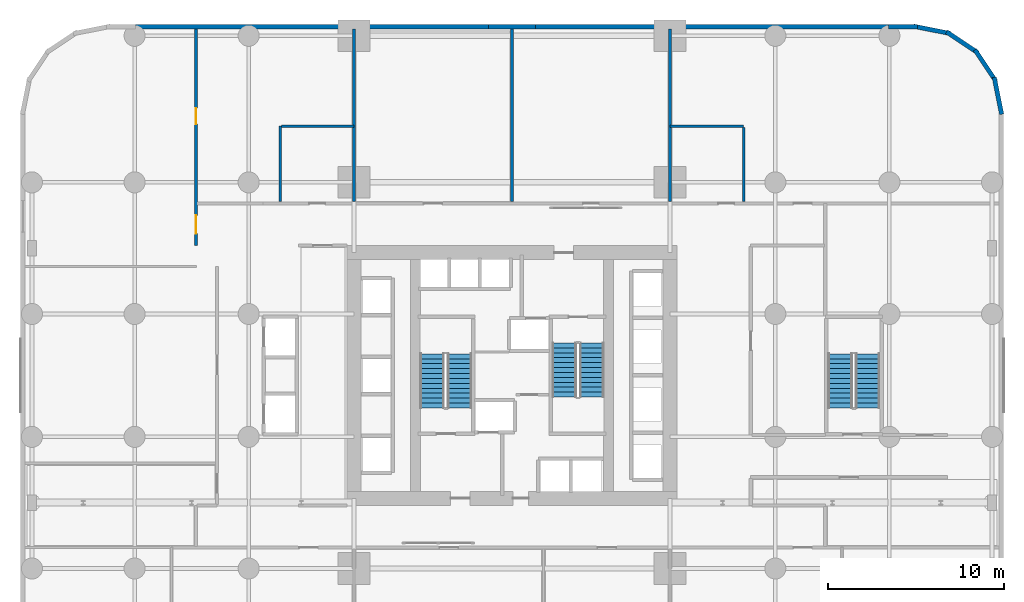
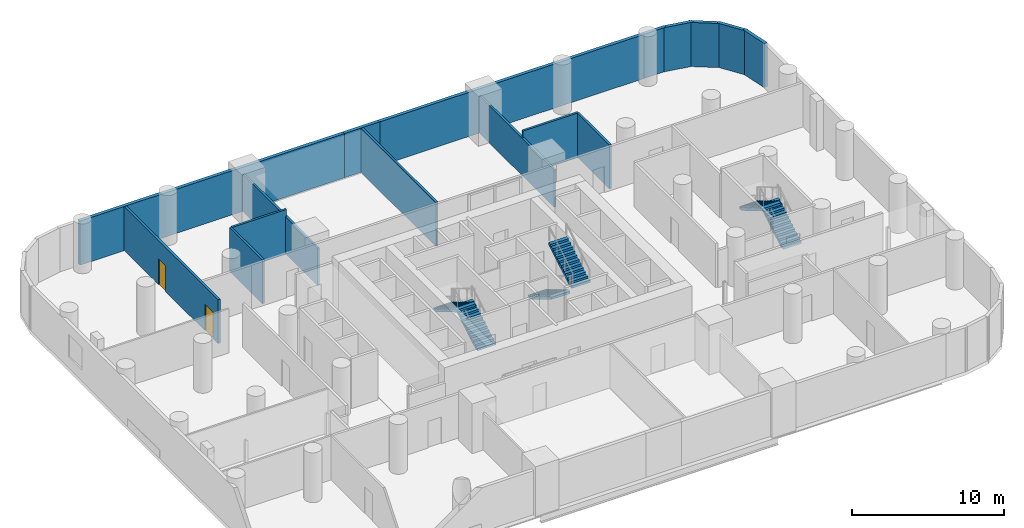
# One storey, part 11 of 15: 16 walls, 6 stair flights, 2 doors, 2 openings, 3 elements without a shape of their own.
"""IFC4 building model written with IfcOpenShell, lengths in metres."""

from ifc_helpers import new_model, si_unit, direction, frame, frame_2d, origin, place, context, subcontext, project, spatial, polyline, rectangle, outline, extrude, material, layer, layer_set, type_object, element, fill, aggregate, save


model = new_model("IFC4")

# Units and contexts
model_context = context("Model", 3, precision=1e-05, world=origin(), true_north=direction((0.0, 1.0)))
body_context = subcontext(model_context, "Body", "Model", "MODEL_VIEW")
ifc_project = project(units=[si_unit("LENGTHUNIT", "METRE"), si_unit("AREAUNIT", "SQUARE_METRE"), si_unit("VOLUMEUNIT", "CUBIC_METRE"), si_unit("PLANEANGLEUNIT", "RADIAN"), si_unit("MASSUNIT", "GRAM", prefix="KILO")], contexts=[model_context])

# Site, building, storey
site_placement = place(None, origin())
site = spatial("IfcSite", under=ifc_project, at=site_placement, CompositionType="ELEMENT")
building_placement = place(site_placement, origin())
building = spatial("IfcBuilding", under=site, at=building_placement, Name="Veldorim Arch Residences", CompositionType="ELEMENT")
storey_placement = place(building_placement, frame((0.0, 0.0, 16.0)))
storey = spatial("IfcBuildingStorey", under=building, at=storey_placement, Name="L04", CompositionType="ELEMENT", Elevation=16.0)

# Wall, openings, doors
ifc_material_1 = material(Name="Lightweight Masonry Block & Gypsum", Category="masonry")
ifc_layer_1 = layer(ifc_material_1, 0.179931640625, Name="Compartment & Corridor Fire-Rated Party Wall 180")
ifc_layer_set_1 = layer_set([ifc_layer_1], Name="Lightweight Masonry Block & Gypsum")
wall_type_1 = type_object("IfcWallType", Name="Compartment & Corridor Fire-Rated Party Wall 180", PredefinedType="PARTITIONING", material=ifc_layer_set_1)
wall_1_placement = place(storey_placement, frame((14.0, 31.39990234375, 0.0), z_axis=(0.0, 0.0, 1.0), x_axis=(0.0, 1.0, 0.0)))
wall_1 = element("IfcWall", 1, at=wall_1_placement, inside=storey, type_object=wall_type_1, Name="L04 interior wall WL-POD-L04-005", PredefinedType="PARTITIONING", context=body_context, shape_type="SweptSolid", body=[
    extrude(rectangle(XDim=12.35009765625, YDim=0.179931640625, at=frame_2d((6.175048828125, 0.0))), origin(), (0.0, 0.0, 1.0), 3.544921875),
])
opening_1_placement = place(wall_1_placement, frame((0.675048828125, 0.0, 0.0)))
opening_1 = element("IfcOpeningElement", 2, at=opening_1_placement, cuts=wall_1, Name="Opening DR-CLN", PredefinedType="OPENING", context=body_context, shape_type="SweptSolid", body=[
    extrude(rectangle(XDim=1.050048828125, YDim=2.14990234375, at=frame_2d((0.52490234375, 1.074951171875))), frame((0.0, 0.099853515625, 0.0), z_axis=(0.0, -1.0, 0.0), x_axis=(1.0, 0.0, 0.0)), (0.0, 0.0, 1.0), 0.199951171875),
])
opening_2_placement = place(wall_1_placement, frame((6.925048828125, 0.0, 0.0)))
opening_2 = element("IfcOpeningElement", 3, at=opening_2_placement, cuts=wall_1, Name="Opening DR-SVC", PredefinedType="OPENING", context=body_context, shape_type="SweptSolid", body=[
    extrude(rectangle(XDim=0.89990234375, YDim=2.10009765625, at=frame_2d((0.449951171875, 1.050048828125))), frame((0.0, 0.099853515625, 0.0), z_axis=(0.0, -1.0, 0.0), x_axis=(1.0, 0.0, 0.0)), (0.0, 0.0, 1.0), 0.199951171875),
])
ifc_material_2 = material(Name="Timber & Vision Panel", Category="wood")
door_type_1 = type_object("IfcDoorType", Name="Polyclinic Wheelchair-Accessible Consultation Door 1050x2150", OperationType="SINGLE_SWING_LEFT", PredefinedType="DOOR", material=ifc_material_2)
door_1_placement = place(opening_1_placement, origin())
door_1 = element("IfcDoor", 4, at=door_1_placement, inside=storey, type_object=door_type_1, Name="L04 interior door DR-POD-L04-005", OperationType="SINGLE_SWING_LEFT", OverallHeight=2.14990234375, OverallWidth=1.050048828125, PredefinedType="DOOR", context=body_context, shape_type="SweptSolid", body=[
    extrude(rectangle(XDim=1.050048828125, YDim=2.14990234375, at=frame_2d((0.52490234375, 1.074951171875))), frame((0.0, 0.02490234375, 0.0), z_axis=(0.0, -1.0, 0.0), x_axis=(1.0, 0.0, 0.0)), (0.0, 0.0, 1.0), 0.050048828125),
])
fill(opening_1, door_1)
ifc_material_3 = material(Name="Fire-Rated Steel", Category="steel")
door_type_2 = type_object("IfcDoorType", Name="Riser, Shelter & Plant Room Rated Steel Door 900x2100", OperationType="SINGLE_SWING_LEFT", PredefinedType="DOOR", material=ifc_material_3)
door_2_placement = place(opening_2_placement, origin())
door_2 = element("IfcDoor", 5, at=door_2_placement, inside=storey, type_object=door_type_2, Name="L04 interior door DR-POD-L04-007", OperationType="SINGLE_SWING_LEFT", OverallHeight=2.10009765625, OverallWidth=0.89990234375, PredefinedType="DOOR", context=body_context, shape_type="SweptSolid", body=[
    extrude(rectangle(XDim=0.89990234375, YDim=2.10009765625, at=frame_2d((0.449951171875, 1.050048828125))), frame((0.0, 0.02490234375, 0.0), z_axis=(0.0, -1.0, 0.0), x_axis=(1.0, 0.0, 0.0)), (0.0, 0.0, 1.0), 0.050048828125),
])
fill(opening_2, door_2)

# Walls
ifc_material_4 = material(Name="Precast concrete C40/50", Category="concrete")
ifc_layer_2 = layer(ifc_material_4, 0.25, Name="Podium Terracotta Insulated Facade Wall 250")
ifc_layer_set_2 = layer_set([ifc_layer_2], Name="Precast concrete C40/50")
wall_type_2 = type_object("IfcWallType", Name="Podium Terracotta Insulated Facade Wall 250", PredefinedType="SOLIDWALL", material=ifc_layer_set_2)
wall_2_placement = place(storey_placement, frame((59.477294921875, 40.987060546875, 0.0), z_axis=(0.0, 0.0, 1.0), x_axis=(0.195111965738, -0.980780974951, 0.0)))
element("IfcWall", 6, at=wall_2_placement, inside=storey, type_object=wall_type_2, Name="L04 podium terracotta facade wall 05", PredefinedType="SOLIDWALL", context=body_context, shape_type="SweptSolid", body=[
    extrude(rectangle(XDim=2.15087890625, YDim=0.25, at=frame_2d((1.075439453125, 0.0))), origin(), (0.0, 0.0, 1.0), 3.550048828125),
])
for number, where, z_axis, x_axis, name in (
    (7, (58.3759765625, 42.54931640625, 0.0), (0.0, 0.0, 1.0), (0.555564214653, -0.831473633615, 0.0), "L04 podium terracotta facade wall 06"),
    (8, (56.7607421875, 43.571044921875, 0.0), (0.0, 0.0, 1.0), (0.831473633615, -0.555564214653, 0.0), "L04 podium terracotta facade wall 07"),
):
    element("IfcWall", number, at=place(storey_placement, frame(where, z_axis=z_axis, x_axis=x_axis)), inside=storey, type_object=wall_type_2, Name=name, PredefinedType="SOLIDWALL", context=body_context, shape_type="SweptSolid", body=[
        extrude(rectangle(XDim=2.151123046875, YDim=0.25, at=frame_2d((1.07568359375, 0.0))), origin(), (0.0, 0.0, 1.0), 3.550048828125),
    ])
wall_3_placement = place(storey_placement, frame((54.87744140625, 43.89697265625, 0.0), z_axis=(0.0, 0.0, 1.0), x_axis=(0.980780974951, -0.195111965738, 0.0)))
element("IfcWall", 9, at=wall_3_placement, inside=storey, type_object=wall_type_2, Name="L04 podium terracotta facade wall 08", PredefinedType="SOLIDWALL", context=body_context, shape_type="SweptSolid", body=[
    extrude(rectangle(XDim=2.15087890625, YDim=0.25, at=frame_2d((1.075439453125, 0.0))), origin(), (0.0, 0.0, 1.0), 3.550048828125),
])
wall_4_placement = place(storey_placement, frame((30.64990234375, 43.875, 0.0), z_axis=(0.0, 0.0, 1.0), x_axis=(1.0, 0.0, 0.0)))
element("IfcWall", 10, at=wall_4_placement, inside=storey, type_object=wall_type_2, Name="L04 podium facade pier wall 09M", PredefinedType="SOLIDWALL", context=body_context, shape_type="SweptSolid", body=[
    extrude(rectangle(XDim=2.7001953125, YDim=0.25, at=frame_2d((1.35009765625, 0.0))), origin(), (0.0, 0.0, 1.0), 3.550048828125),
])
wall_5_placement = place(storey_placement, frame((53.449951171875, 43.875, 0.0), z_axis=(0.0, 0.0, 1.0), x_axis=(1.0, 0.0, 0.0)))
element("IfcWall", 11, at=wall_5_placement, inside=storey, type_object=wall_type_2, Name="L04 podium facade pier wall 09B", PredefinedType="SOLIDWALL", context=body_context, shape_type="SweptSolid", body=[
    extrude(rectangle(XDim=1.650146484375, YDim=0.25, at=frame_2d((0.8251953125, 0.0))), origin(), (0.0, 0.0, 1.0), 3.550048828125),
])
for number, where, z_axis, x_axis, name in (
    (12, (10.550048828125, 43.875, 0.0), (0.0, 0.0, 1.0), (1.0, 0.0, 0.0), "L04 podium facade wall 09C1"),
    (13, (33.35009765625, 43.875, 0.0), (0.0, 0.0, 1.0), (1.0, 0.0, 0.0), "L04 podium facade wall 09C2"),
):
    element("IfcWall", number, at=place(storey_placement, frame(where, z_axis=z_axis, x_axis=x_axis)), inside=storey, type_object=wall_type_2, Name=name, PredefinedType="SOLIDWALL", context=body_context, shape_type="SweptSolid", body=[
        extrude(rectangle(XDim=20.099853515625, YDim=0.25, at=frame_2d((10.0498046875, 0.0))), origin(), (0.0, 0.0, 1.0), 3.550048828125),
    ])
ifc_material_5 = material(Name="Moisture-Resistant Gypsum & Stud", Category="gypsum")
ifc_layer_3 = layer(ifc_material_5, 0.159912109375, Name="Wet-Area Moisture-Resistant Plumbing Wall 160")
ifc_layer_set_3 = layer_set([ifc_layer_3], Name="Moisture-Resistant Gypsum & Stud")
wall_type_3 = type_object("IfcWallType", Name="Wet-Area Moisture-Resistant Plumbing Wall 160", PredefinedType="PLUMBINGWALL", material=ifc_layer_set_3)
wall_6_placement = place(storey_placement, frame((18.800048828125, 33.89990234375, 0.0), z_axis=(0.0, 0.0, 1.0), x_axis=(0.0, 1.0, 0.0)))
element("IfcWall", 14, at=wall_6_placement, inside=storey, type_object=wall_type_3, Name="L04 interior wall WL-POD-L04-026", PredefinedType="PLUMBINGWALL", context=body_context, shape_type="SweptSolid", body=[
    extrude(rectangle(XDim=4.300048828125, YDim=0.159912109375, at=frame_2d((2.14990234375, 0.0))), origin(), (0.0, 0.0, 1.0), 3.544921875),
])
wall_7_placement = place(storey_placement, frame((18.860107421875, 38.199951171875, 0.0), z_axis=(0.0, 0.0, 1.0), x_axis=(1.0, 0.0, 0.0)))
element("IfcWall", 15, at=wall_7_placement, inside=storey, type_object=wall_type_3, Name="L04 interior wall WL-POD-L04-027", PredefinedType="PLUMBINGWALL", context=body_context, shape_type="SweptSolid", body=[
    extrude(rectangle(XDim=4.139892578125, YDim=0.159912109375, at=frame_2d((2.06982421875, 0.0))), origin(), (0.0, 0.0, 1.0), 3.544921875),
])
wall_8_placement = place(storey_placement, frame((23.0, 43.75, 0.0), z_axis=(0.0, 0.0, 1.0), x_axis=(0.0, -1.0, 0.0)))
element("IfcWall", 16, at=wall_8_placement, inside=storey, type_object=wall_type_3, Name="L04 interior wall WL-POD-L04-028", PredefinedType="PLUMBINGWALL", context=body_context, shape_type="SweptSolid", body=[
    extrude(rectangle(XDim=9.85009765625, YDim=0.159912109375, at=frame_2d((4.925048828125, 0.0))), origin(), (0.0, 0.0, 1.0), 3.001220703125),
])
wall_9_placement = place(storey_placement, frame((41.0, 38.199951171875, 0.0), z_axis=(0.0, 0.0, 1.0), x_axis=(1.0, 0.0, 0.0)))
element("IfcWall", 17, at=wall_9_placement, inside=storey, type_object=wall_type_3, Name="L04 interior wall WL-POD-L04-031", PredefinedType="PLUMBINGWALL", context=body_context, shape_type="SweptSolid", body=[
    extrude(rectangle(XDim=4.199951171875, YDim=0.159912109375, at=frame_2d((2.10009765625, 0.0))), origin(), (0.0, 0.0, 1.0), 3.544921875),
])
wall_10_placement = place(storey_placement, frame((45.199951171875, 38.139892578125, 0.0), z_axis=(0.0, 0.0, 1.0), x_axis=(0.0, -1.0, 0.0)))
element("IfcWall", 18, at=wall_10_placement, inside=storey, type_object=wall_type_3, Name="L04 interior wall WL-POD-L04-032", PredefinedType="PLUMBINGWALL", context=body_context, shape_type="SweptSolid", body=[
    extrude(rectangle(XDim=4.239990234375, YDim=0.159912109375, at=frame_2d((2.1201171875, 0.0))), origin(), (0.0, 0.0, 1.0), 3.544921875),
])
wall_11_placement = place(storey_placement, frame((41.0, 33.89990234375, 0.0), z_axis=(0.0, 0.0, 1.0), x_axis=(0.0, 1.0, 0.0)))
element("IfcWall", 19, at=wall_11_placement, inside=storey, type_object=wall_type_3, Name="L04 interior wall WL-POD-L04-033", PredefinedType="PLUMBINGWALL", context=body_context, shape_type="SweptSolid", body=[
    extrude(rectangle(XDim=9.85009765625, YDim=0.159912109375, at=frame_2d((4.925048828125, 0.0))), origin(), (0.0, 0.0, 1.0), 3.001220703125),
])
wall_12_placement = place(storey_placement, frame((32.0, 43.75, 0.0), z_axis=(0.0, 0.0, 1.0), x_axis=(0.0, -1.0, 0.0)))
element("IfcWall", 20, at=wall_12_placement, inside=storey, type_object=wall_type_3, Name="L04 interior wall WL-POD-L04-035", PredefinedType="PLUMBINGWALL", context=body_context, shape_type="SweptSolid", body=[
    extrude(rectangle(XDim=9.85009765625, YDim=0.159912109375, at=frame_2d((4.925048828125, 0.0))), origin(), (0.0, 0.0, 1.0), 3.544921875),
])

# Stair, stair flights
ifc_material_6 = material(Name="Concrete C40/50", Category="concrete")
stair_type = type_object("IfcStairType", Name="Reinforced Concrete Dogleg Exit Staircase", PredefinedType="HALF_TURN_STAIR", material=ifc_material_6)
stair_1_placement = place(storey_placement, origin())
stair_1 = element("IfcStair", 21, at=stair_1_placement, inside=storey, type_object=stair_type, Name="L04 Exit Staircase ST-1", PredefinedType="HALF_TURN_STAIR")
ifc_material_7 = material(Name="Concrete C40/50", Category="concrete")
stair_flight_type = type_object("IfcStairFlightType", Name="Reinforced Concrete Stair Flight 1400", PredefinedType="STRAIGHT", material=ifc_material_7)
stair_flight_1_placement = place(storey_placement, frame((29.010009765625, 22.14990234375, 0.0), z_axis=(0.0, 0.0, 1.0), x_axis=(0.0, 1.0, 0.0)))
stair_flight_1 = element("IfcStairFlight", 22, at=stair_flight_1_placement, type_object=stair_flight_type, Name="ST-1 flight 1", NumberOfRisers=12, NumberOfTreads=11, PredefinedType="STRAIGHT", RiserHeight=0.166666667, TreadLength=0.28, context=body_context, shape_type="SweptSolid", body=[
    extrude(outline(polyline([(0.0, 0.0), (0.0, 0.166748046875), (0.280029296875, 0.166748046875), (0.280029296875, 0.333251953125), (0.56005859375, 0.333251953125), (0.56005859375, 0.5), (0.840087890625, 0.5), (0.840087890625, 0.666748046875), (1.1201171875, 0.666748046875), (1.1201171875, 0.833251953125), (1.39990234375, 0.833251953125), (1.39990234375, 1.0), (1.679931640625, 1.0), (1.679931640625, 1.166748046875), (1.9599609375, 1.166748046875), (1.9599609375, 1.333251953125), (2.239990234375, 1.333251953125), (2.239990234375, 1.5), (2.52001953125, 1.5), (2.52001953125, 1.666748046875), (2.800048828125, 1.666748046875), (2.800048828125, 1.833251953125), (3.080078125, 1.833251953125), (3.080078125, 2.0), (3.080078125, 1.647216796875), (0.312744140625, 0.0), (0.0, 0.0)])), frame((0.0, 0.699951171875, 0.0), z_axis=(0.0, -1.0, 0.0), x_axis=(1.0, 0.0, 0.0)), (0.0, 0.0, 1.0), 1.39990234375),
])
stair_flight_2_placement = place(storey_placement, frame((27.449951171875, 25.22998046875, 2.0), z_axis=(0.0, 0.0, 1.0), x_axis=(0.0, -1.0, 0.0)))
stair_flight_2 = element("IfcStairFlight", 23, at=stair_flight_2_placement, type_object=stair_flight_type, Name="ST-1 flight 2", NumberOfRisers=12, NumberOfTreads=11, PredefinedType="STRAIGHT", RiserHeight=0.166666667, TreadLength=0.28, context=body_context, shape_type="SweptSolid", body=[
    extrude(outline(polyline([(0.0, 0.0), (0.0, 0.166748046875), (0.280029296875, 0.166748046875), (0.280029296875, 0.333251953125), (0.56005859375, 0.333251953125), (0.56005859375, 0.5), (0.840087890625, 0.5), (0.840087890625, 0.666748046875), (1.1201171875, 0.666748046875), (1.1201171875, 0.833251953125), (1.39990234375, 0.833251953125), (1.39990234375, 1.0), (1.679931640625, 1.0), (1.679931640625, 1.166748046875), (1.9599609375, 1.166748046875), (1.9599609375, 1.333251953125), (2.239990234375, 1.333251953125), (2.239990234375, 1.5), (2.52001953125, 1.5), (2.52001953125, 1.666748046875), (2.800048828125, 1.666748046875), (2.800048828125, 1.833251953125), (3.080078125, 1.833251953125), (3.080078125, 2.0), (3.080078125, 1.647216796875), (0.312744140625, 0.0), (0.0, 0.0)])), frame((0.0, 0.699951171875, 0.0), z_axis=(0.0, -1.0, 0.0), x_axis=(1.0, 0.0, 0.0)), (0.0, 0.0, 1.0), 1.39990234375),
])
aggregate(stair_1, [stair_flight_1, stair_flight_2])

stair_2_placement = place(storey_placement, origin())
stair_2 = element("IfcStair", 24, at=stair_2_placement, inside=storey, type_object=stair_type, Name="L04 Exit Staircase ST-2", PredefinedType="HALF_TURN_STAIR")
stair_flight_3_placement = place(storey_placement, frame((34.989990234375, 25.85009765625, 0.0), z_axis=(0.0, 0.0, 1.0), x_axis=(0.0, -1.0, 0.0)))
stair_flight_3 = element("IfcStairFlight", 25, at=stair_flight_3_placement, type_object=stair_flight_type, Name="ST-2 flight 1", NumberOfRisers=12, NumberOfTreads=11, PredefinedType="STRAIGHT", RiserHeight=0.166666667, TreadLength=0.28, context=body_context, shape_type="SweptSolid", body=[
    extrude(outline(polyline([(0.0, 0.0), (0.0, 0.166748046875), (0.280029296875, 0.166748046875), (0.280029296875, 0.333251953125), (0.56005859375, 0.333251953125), (0.56005859375, 0.5), (0.840087890625, 0.5), (0.840087890625, 0.666748046875), (1.1201171875, 0.666748046875), (1.1201171875, 0.833251953125), (1.39990234375, 0.833251953125), (1.39990234375, 1.0), (1.679931640625, 1.0), (1.679931640625, 1.166748046875), (1.9599609375, 1.166748046875), (1.9599609375, 1.333251953125), (2.239990234375, 1.333251953125), (2.239990234375, 1.5), (2.52001953125, 1.5), (2.52001953125, 1.666748046875), (2.800048828125, 1.666748046875), (2.800048828125, 1.833251953125), (3.080078125, 1.833251953125), (3.080078125, 2.0), (3.080078125, 1.647216796875), (0.312744140625, 0.0), (0.0, 0.0)])), frame((0.0, 0.699951171875, 0.0), z_axis=(0.0, -1.0, 0.0), x_axis=(1.0, 0.0, 0.0)), (0.0, 0.0, 1.0), 1.39990234375),
])
stair_flight_4_placement = place(storey_placement, frame((36.550048828125, 22.77001953125, 2.0), z_axis=(0.0, 0.0, 1.0), x_axis=(0.0, 1.0, 0.0)))
stair_flight_4 = element("IfcStairFlight", 26, at=stair_flight_4_placement, type_object=stair_flight_type, Name="ST-2 flight 2", NumberOfRisers=12, NumberOfTreads=11, PredefinedType="STRAIGHT", RiserHeight=0.166666667, TreadLength=0.28, context=body_context, shape_type="SweptSolid", body=[
    extrude(outline(polyline([(0.0, 0.0), (0.0, 0.166748046875), (0.280029296875, 0.166748046875), (0.280029296875, 0.333251953125), (0.56005859375, 0.333251953125), (0.56005859375, 0.5), (0.840087890625, 0.5), (0.840087890625, 0.666748046875), (1.1201171875, 0.666748046875), (1.1201171875, 0.833251953125), (1.39990234375, 0.833251953125), (1.39990234375, 1.0), (1.679931640625, 1.0), (1.679931640625, 1.166748046875), (1.9599609375, 1.166748046875), (1.9599609375, 1.333251953125), (2.239990234375, 1.333251953125), (2.239990234375, 1.5), (2.52001953125, 1.5), (2.52001953125, 1.666748046875), (2.800048828125, 1.666748046875), (2.800048828125, 1.833251953125), (3.080078125, 1.833251953125), (3.080078125, 2.0), (3.080078125, 1.647216796875), (0.312744140625, 0.0), (0.0, 0.0)])), frame((0.0, 0.699951171875, 0.0), z_axis=(0.0, -1.0, 0.0), x_axis=(1.0, 0.0, 0.0)), (0.0, 0.0, 1.0), 1.39990234375),
])
aggregate(stair_2, [stair_flight_3, stair_flight_4])

stair_3_placement = place(storey_placement, origin())
stair_3 = element("IfcStair", 27, at=stair_3_placement, inside=storey, type_object=stair_type, Name="L04 Exit Staircase ST-3", PredefinedType="HALF_TURN_STAIR")
stair_flight_5_placement = place(storey_placement, frame((52.260009765625, 22.14990234375, 0.0), z_axis=(0.0, 0.0, 1.0), x_axis=(0.0, 1.0, 0.0)))
stair_flight_5 = element("IfcStairFlight", 28, at=stair_flight_5_placement, type_object=stair_flight_type, Name="ST-3 flight 1", NumberOfRisers=12, NumberOfTreads=11, PredefinedType="STRAIGHT", RiserHeight=0.166666667, TreadLength=0.28, context=body_context, shape_type="SweptSolid", body=[
    extrude(outline(polyline([(0.0, 0.0), (0.0, 0.166748046875), (0.280029296875, 0.166748046875), (0.280029296875, 0.333251953125), (0.56005859375, 0.333251953125), (0.56005859375, 0.5), (0.840087890625, 0.5), (0.840087890625, 0.666748046875), (1.1201171875, 0.666748046875), (1.1201171875, 0.833251953125), (1.39990234375, 0.833251953125), (1.39990234375, 1.0), (1.679931640625, 1.0), (1.679931640625, 1.166748046875), (1.9599609375, 1.166748046875), (1.9599609375, 1.333251953125), (2.239990234375, 1.333251953125), (2.239990234375, 1.5), (2.52001953125, 1.5), (2.52001953125, 1.666748046875), (2.800048828125, 1.666748046875), (2.800048828125, 1.833251953125), (3.080078125, 1.833251953125), (3.080078125, 2.0), (3.080078125, 1.647216796875), (0.312744140625, 0.0), (0.0, 0.0)])), frame((0.0, 0.699951171875, 0.0), z_axis=(0.0, -1.0, 0.0), x_axis=(1.0, 0.0, 0.0)), (0.0, 0.0, 1.0), 1.39990234375),
])
stair_flight_6_placement = place(storey_placement, frame((50.699951171875, 25.22998046875, 2.0), z_axis=(0.0, 0.0, 1.0), x_axis=(0.0, -1.0, 0.0)))
stair_flight_6 = element("IfcStairFlight", 29, at=stair_flight_6_placement, type_object=stair_flight_type, Name="ST-3 flight 2", NumberOfRisers=12, NumberOfTreads=11, PredefinedType="STRAIGHT", RiserHeight=0.166666667, TreadLength=0.28, context=body_context, shape_type="SweptSolid", body=[
    extrude(outline(polyline([(0.0, 0.0), (0.0, 0.166748046875), (0.280029296875, 0.166748046875), (0.280029296875, 0.333251953125), (0.56005859375, 0.333251953125), (0.56005859375, 0.5), (0.840087890625, 0.5), (0.840087890625, 0.666748046875), (1.1201171875, 0.666748046875), (1.1201171875, 0.833251953125), (1.39990234375, 0.833251953125), (1.39990234375, 1.0), (1.679931640625, 1.0), (1.679931640625, 1.166748046875), (1.9599609375, 1.166748046875), (1.9599609375, 1.333251953125), (2.239990234375, 1.333251953125), (2.239990234375, 1.5), (2.52001953125, 1.5), (2.52001953125, 1.666748046875), (2.800048828125, 1.666748046875), (2.800048828125, 1.833251953125), (3.080078125, 1.833251953125), (3.080078125, 2.0), (3.080078125, 1.647216796875), (0.312744140625, 0.0), (0.0, 0.0)])), frame((0.0, 0.699951171875, 0.0), z_axis=(0.0, -1.0, 0.0), x_axis=(1.0, 0.0, 0.0)), (0.0, 0.0, 1.0), 1.39990234375),
])
aggregate(stair_3, [stair_flight_5, stair_flight_6])

save(model, "model.ifc")
